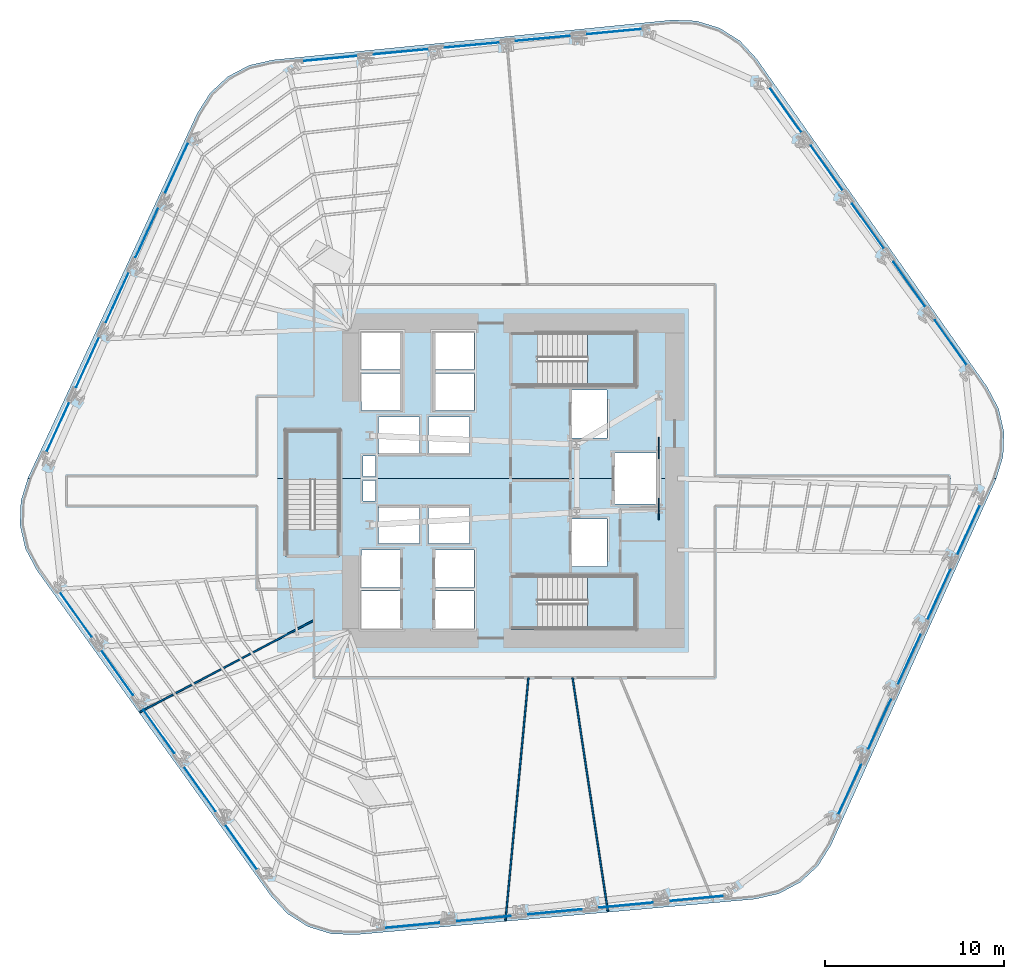
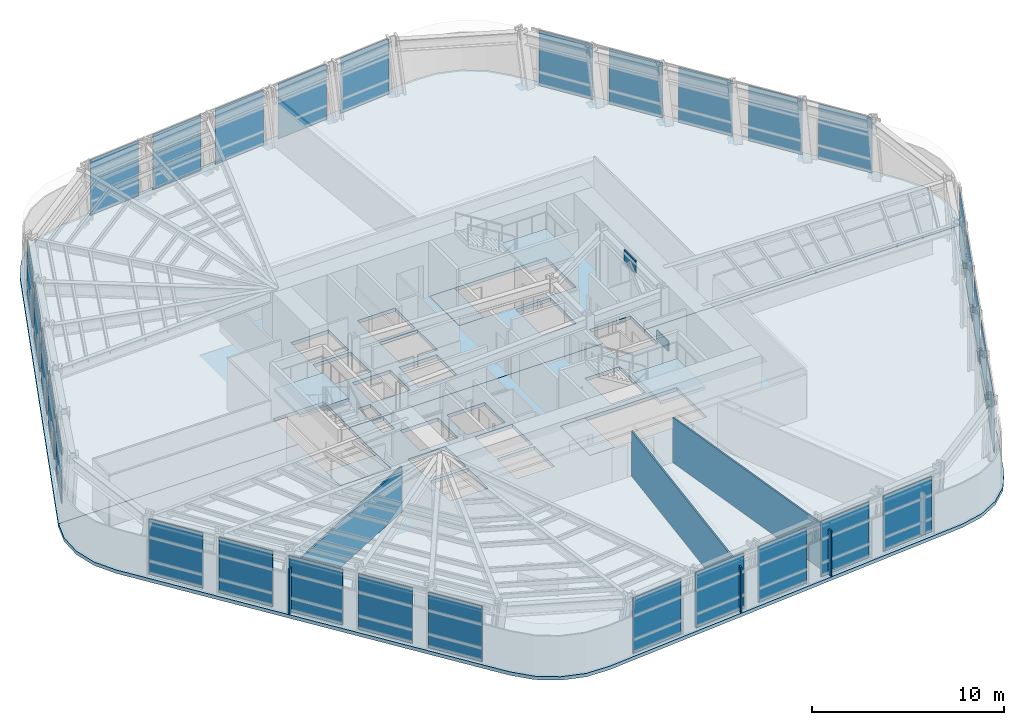
# One storey, part 7 of 16: 32 plates, 8 slabs, 3 walls, 9 elements without a shape of their own.
"""IFC4 building model written with IfcOpenShell, lengths in metres."""

from ifc_helpers import new_model, si_unit, direction, frame, frame_2d, origin, origin_2d, place, context, subcontext, project, spatial, polyline, rectangle, outline, extrude, material, layer, layer_set, type_object, element, aggregate, save


model = new_model("IFC4")

# Units and contexts
model_context = context("Model", 3, precision=1e-05, world=origin(), true_north=direction((0.0, 1.0)))
body_context = subcontext(model_context, "Body", "Model", "MODEL_VIEW")
ifc_project = project(units=[si_unit("LENGTHUNIT", "METRE"), si_unit("AREAUNIT", "SQUARE_METRE"), si_unit("VOLUMEUNIT", "CUBIC_METRE"), si_unit("PLANEANGLEUNIT", "RADIAN"), si_unit("MASSUNIT", "GRAM", prefix="KILO")], contexts=[model_context])

# Site, building, storey
site_placement = place(None, origin())
site = spatial("IfcSite", under=ifc_project, at=site_placement, CompositionType="ELEMENT")
building_placement = place(site_placement, origin())
building = spatial("IfcBuilding", under=site, at=building_placement, Name="Valkerne Bourse Tower", CompositionType="ELEMENT")
storey_placement = place(building_placement, frame((0.0, 0.0, 46.800048828125)))
storey = spatial("IfcBuildingStorey", under=building, at=storey_placement, Name="L11", CompositionType="ELEMENT", Elevation=46.800048828125)

# Curtain wall, plates
ifc_material_1 = material(Name="Aluminium AA 6063-T6", Category="aluminium")
ifc_layer_1 = layer(ifc_material_1, 0.22509765625)
ifc_layer_set_1 = layer_set([ifc_layer_1], Name="Aluminium AA 6063-T6")
curtain_wall_type = type_object("IfcCurtainWallType", Name="CW-01", PredefinedType="NOTDEFINED", material=ifc_layer_set_1)
curtain_wall_1_placement = place(storey_placement, origin())
curtain_wall_1 = element("IfcCurtainWall", 1, at=curtain_wall_1_placement, inside=storey, type_object=curtain_wall_type, Name="L11 Hexagonal Stick Curtain Wall Face 1", PredefinedType="NOTDEFINED")
ifc_material_2 = material(Name="Glass IGU Low-E Double Glazed", Category="glass")
ifc_layer_2 = layer(ifc_material_2, 0.031982421875)
ifc_layer_set_2 = layer_set([ifc_layer_2], Name="Glass IGU Low-E Double Glazed")
plate_type_1 = type_object("IfcPlateType", Name="CW-PNL-IGU-32", PredefinedType="CURTAIN_PANEL", material=ifc_layer_set_2)
plate_1_placement = place(storey_placement, frame((71.2958984375, 34.603759765625, 0.030029296875), z_axis=(0.0, 0.0, 1.0), x_axis=(-0.579285902215, 0.815124434363, 0.0)))
plate_1 = element("IfcPlate", 2, at=plate_1_placement, type_object=plate_type_1, Name="CW-L11-F1 Curtain Panel 00", PredefinedType="CURTAIN_PANEL", context=body_context, shape_type="SweptSolid", body=[
    extrude(rectangle(XDim=3.075927734375, YDim=0.031982421875, at=origin_2d()), origin(), (0.0, 0.0, 1.0), 3.52001953125),
])
plate_2_placement = place(storey_placement, frame((68.981201171875, 37.861083984375, 0.030029296875), z_axis=(0.0, 0.0, 1.0), x_axis=(-0.579274085678, 0.815132831913, 0.0)))
plate_2 = element("IfcPlate", 3, at=plate_2_placement, type_object=plate_type_1, Name="CW-L11-F1 Curtain Panel 01", PredefinedType="CURTAIN_PANEL", context=body_context, shape_type="SweptSolid", body=[
    extrude(rectangle(XDim=3.076171875, YDim=0.031982421875, at=origin_2d()), origin(), (0.0, 0.0, 1.0), 3.52001953125),
])
plate_3_placement = place(storey_placement, frame((66.66650390625, 41.118408203125, 0.030029296875), z_axis=(0.0, 0.0, 1.0), x_axis=(-0.579285902215, 0.815124434363, 0.0)))
plate_3 = element("IfcPlate", 4, at=plate_3_placement, type_object=plate_type_1, Name="CW-L11-F1 Curtain Panel 02", PredefinedType="CURTAIN_PANEL", context=body_context, shape_type="SweptSolid", body=[
    extrude(rectangle(XDim=3.075927734375, YDim=0.031982421875, at=origin_2d()), origin(), (0.0, 0.0, 1.0), 3.52001953125),
])
plate_4_placement = place(storey_placement, frame((64.351806640625, 44.37548828125, 0.030029296875), z_axis=(0.0, 0.0, 1.0), x_axis=(-0.579274085678, 0.815132831913, 0.0)))
plate_4 = element("IfcPlate", 5, at=plate_4_placement, type_object=plate_type_1, Name="CW-L11-F1 Curtain Panel 03", PredefinedType="CURTAIN_PANEL", context=body_context, shape_type="SweptSolid", body=[
    extrude(rectangle(XDim=3.076171875, YDim=0.031982421875, at=origin_2d()), origin(), (0.0, 0.0, 1.0), 3.52001953125),
])
plate_5_placement = place(storey_placement, frame((62.036865234375, 47.6328125, 0.030029296875), z_axis=(0.0, 0.0, 1.0), x_axis=(-0.579285902215, 0.815124434363, 0.0)))
plate_5 = element("IfcPlate", 6, at=plate_5_placement, type_object=plate_type_1, Name="CW-L11-F1 Curtain Panel 04", PredefinedType="CURTAIN_PANEL", context=body_context, shape_type="SweptSolid", body=[
    extrude(rectangle(XDim=3.075927734375, YDim=0.031982421875, at=origin_2d()), origin(), (0.0, 0.0, 1.0), 3.52001953125),
])
aggregate(curtain_wall_1, [plate_1, plate_2, plate_3, plate_4, plate_5])

curtain_wall_2_placement = place(storey_placement, origin())
curtain_wall_2 = element("IfcCurtainWall", 7, at=curtain_wall_2_placement, inside=storey, type_object=curtain_wall_type, Name="L11 Hexagonal Stick Curtain Wall Face 2", PredefinedType="NOTDEFINED")
plate_6_placement = place(storey_placement, frame((52.462890625, 52.01611328125, 0.030029296875), z_axis=(0.0, 0.0, 1.0), x_axis=(-0.995560806693, -0.094120561919, 0.0)))
plate_6 = element("IfcPlate", 8, at=plate_6_placement, type_object=plate_type_1, Name="CW-L11-F2 Curtain Panel 00", PredefinedType="CURTAIN_PANEL", context=body_context, shape_type="SweptSolid", body=[
    extrude(rectangle(XDim=3.075927734375, YDim=0.031982421875, at=origin_2d()), origin(), (0.0, 0.0, 1.0), 3.52001953125),
])
plate_7_placement = place(storey_placement, frame((48.484619140625, 51.64013671875, 0.030029296875), z_axis=(0.0, 0.0, 1.0), x_axis=(-0.995563372907, -0.094093413826, 0.0)))
plate_7 = element("IfcPlate", 9, at=plate_7_placement, type_object=plate_type_1, Name="CW-L11-F2 Curtain Panel 01", PredefinedType="CURTAIN_PANEL", context=body_context, shape_type="SweptSolid", body=[
    extrude(rectangle(XDim=3.076171875, YDim=0.031982421875, at=origin_2d()), origin(), (0.0, 0.0, 1.0), 3.52001953125),
])
plate_8_placement = place(storey_placement, frame((44.50634765625, 51.263916015625, 0.030029296875), z_axis=(0.0, 0.0, 1.0), x_axis=(-0.995561028378, -0.094118217018, 0.0)))
plate_8 = element("IfcPlate", 10, at=plate_8_placement, type_object=plate_type_1, Name="CW-L11-F2 Curtain Panel 02", PredefinedType="CURTAIN_PANEL", context=body_context, shape_type="SweptSolid", body=[
    extrude(rectangle(XDim=3.076171875, YDim=0.031982421875, at=origin_2d()), origin(), (0.0, 0.0, 1.0), 3.52001953125),
])
plate_9_placement = place(storey_placement, frame((40.528076171875, 50.887939453125, 0.030029296875), z_axis=(0.0, 0.0, 1.0), x_axis=(-0.99556315134, -0.094095758107, 0.0)))
plate_9 = element("IfcPlate", 11, at=plate_9_placement, type_object=plate_type_1, Name="CW-L11-F2 Curtain Panel 03", PredefinedType="CURTAIN_PANEL", context=body_context, shape_type="SweptSolid", body=[
    extrude(rectangle(XDim=3.075927734375, YDim=0.031982421875, at=origin_2d()), origin(), (0.0, 0.0, 1.0), 3.52001953125),
])
plate_10_placement = place(storey_placement, frame((36.5498046875, 50.511962890625, 0.030029296875), z_axis=(0.0, 0.0, 1.0), x_axis=(-0.995561028378, -0.094118217018, 0.0)))
plate_10 = element("IfcPlate", 12, at=plate_10_placement, type_object=plate_type_1, Name="CW-L11-F2 Curtain Panel 04", PredefinedType="CURTAIN_PANEL", context=body_context, shape_type="SweptSolid", body=[
    extrude(rectangle(XDim=3.076171875, YDim=0.031982421875, at=origin_2d()), origin(), (0.0, 0.0, 1.0), 3.52001953125),
])
aggregate(curtain_wall_2, [plate_6, plate_7, plate_8, plate_9, plate_10])

curtain_wall_3_placement = place(storey_placement, origin())
curtain_wall_3 = element("IfcCurtainWall", 13, at=curtain_wall_3_placement, inside=storey, type_object=curtain_wall_type, Name="L11 Hexagonal Stick Curtain Wall Face 3", PredefinedType="NOTDEFINED")
plate_11_placement = place(storey_placement, frame((27.966796875, 44.412353515625, 0.030029296875), z_axis=(0.0, 0.0, 1.0), x_axis=(-0.416290181483, -0.909231810267, 0.0)))
plate_11 = element("IfcPlate", 14, at=plate_11_placement, type_object=plate_type_1, Name="CW-L11-F3 Curtain Panel 00", PredefinedType="CURTAIN_PANEL", context=body_context, shape_type="SweptSolid", body=[
    extrude(rectangle(XDim=3.076171875, YDim=0.031982421875, at=origin_2d()), origin(), (0.0, 0.0, 1.0), 3.52001953125),
])
plate_12_placement = place(storey_placement, frame((26.303466796875, 40.779052734375, 0.030029296875), z_axis=(0.0, 0.0, 1.0), x_axis=(-0.416269492971, -0.909241282181, 0.0)))
plate_12 = element("IfcPlate", 15, at=plate_12_placement, type_object=plate_type_1, Name="CW-L11-F3 Curtain Panel 01", PredefinedType="CURTAIN_PANEL", context=body_context, shape_type="SweptSolid", body=[
    extrude(rectangle(XDim=3.075927734375, YDim=0.031982421875, at=origin_2d()), origin(), (0.0, 0.0, 1.0), 3.52001953125),
])
plate_13_placement = place(storey_placement, frame((24.639892578125, 37.145751953125, 0.030029296875), z_axis=(0.0, 0.0, 1.0), x_axis=(-0.416290181483, -0.909231810267, 0.0)))
plate_13 = element("IfcPlate", 16, at=plate_13_placement, type_object=plate_type_1, Name="CW-L11-F3 Curtain Panel 02", PredefinedType="CURTAIN_PANEL", context=body_context, shape_type="SweptSolid", body=[
    extrude(rectangle(XDim=3.076171875, YDim=0.031982421875, at=origin_2d()), origin(), (0.0, 0.0, 1.0), 3.52001953125),
])
plate_14_placement = place(storey_placement, frame((22.976318359375, 33.512451171875, 0.030029296875), z_axis=(0.0, 0.0, 1.0), x_axis=(-0.416269492971, -0.909241282181, 0.0)))
plate_14 = element("IfcPlate", 17, at=plate_14_placement, type_object=plate_type_1, Name="CW-L11-F3 Curtain Panel 03", PredefinedType="CURTAIN_PANEL", context=body_context, shape_type="SweptSolid", body=[
    extrude(rectangle(XDim=3.075927734375, YDim=0.031982421875, at=origin_2d()), origin(), (0.0, 0.0, 1.0), 3.52001953125),
])
plate_15_placement = place(storey_placement, frame((21.31298828125, 29.879150390625, 0.030029296875), z_axis=(0.0, 0.0, 1.0), x_axis=(-0.416290181483, -0.909231810267, 0.0)))
plate_15 = element("IfcPlate", 18, at=plate_15_placement, type_object=plate_type_1, Name="CW-L11-F3 Curtain Panel 04", PredefinedType="CURTAIN_PANEL", context=body_context, shape_type="SweptSolid", body=[
    extrude(rectangle(XDim=3.076171875, YDim=0.031982421875, at=origin_2d()), origin(), (0.0, 0.0, 1.0), 3.52001953125),
])
aggregate(curtain_wall_3, [plate_11, plate_12, plate_13, plate_14, plate_15])

curtain_wall_4_placement = place(storey_placement, origin())
curtain_wall_4 = element("IfcCurtainWall", 19, at=curtain_wall_4_placement, inside=storey, type_object=curtain_wall_type, Name="L11 Hexagonal Stick Curtain Wall Face 4", PredefinedType="NOTDEFINED")
plate_16_placement = place(storey_placement, frame((22.303955078125, 19.39599609375, 0.030029296875), z_axis=(0.0, 0.0, 1.0), x_axis=(0.579285902215, -0.815124434363, 0.0)))
plate_16 = element("IfcPlate", 20, at=plate_16_placement, type_object=plate_type_1, Name="CW-L11-F4 Curtain Panel 00", PredefinedType="CURTAIN_PANEL", context=body_context, shape_type="SweptSolid", body=[
    extrude(rectangle(XDim=3.075927734375, YDim=0.031982421875, at=origin_2d()), origin(), (0.0, 0.0, 1.0), 3.52001953125),
])
plate_17_placement = place(storey_placement, frame((24.61865234375, 16.138916015625, 0.030029296875), z_axis=(0.0, 0.0, 1.0), x_axis=(0.579274085678, -0.815132831913, 0.0)))
plate_17 = element("IfcPlate", 21, at=plate_17_placement, type_object=plate_type_1, Name="CW-L11-F4 Curtain Panel 01", PredefinedType="CURTAIN_PANEL", context=body_context, shape_type="SweptSolid", body=[
    extrude(rectangle(XDim=3.076171875, YDim=0.031982421875, at=origin_2d()), origin(), (0.0, 0.0, 1.0), 3.52001953125),
])
plate_18_placement = place(storey_placement, frame((26.93359375, 12.881591796875, 0.030029296875), z_axis=(0.0, 0.0, 1.0), x_axis=(0.579285902215, -0.815124434363, 0.0)))
plate_18 = element("IfcPlate", 22, at=plate_18_placement, type_object=plate_type_1, Name="CW-L11-F4 Curtain Panel 02", PredefinedType="CURTAIN_PANEL", context=body_context, shape_type="SweptSolid", body=[
    extrude(rectangle(XDim=3.075927734375, YDim=0.031982421875, at=origin_2d()), origin(), (0.0, 0.0, 1.0), 3.52001953125),
])
plate_19_placement = place(storey_placement, frame((29.248291015625, 9.62451171875, 0.030029296875), z_axis=(0.0, 0.0, 1.0), x_axis=(0.579274085678, -0.815132831913, 0.0)))
plate_19 = element("IfcPlate", 23, at=plate_19_placement, type_object=plate_type_1, Name="CW-L11-F4 Curtain Panel 03", PredefinedType="CURTAIN_PANEL", context=body_context, shape_type="SweptSolid", body=[
    extrude(rectangle(XDim=3.076171875, YDim=0.031982421875, at=origin_2d()), origin(), (0.0, 0.0, 1.0), 3.52001953125),
])
plate_20_placement = place(storey_placement, frame((31.563232421875, 6.3671875, 0.030029296875), z_axis=(0.0, 0.0, 1.0), x_axis=(0.579285902215, -0.815124434363, 0.0)))
plate_20 = element("IfcPlate", 24, at=plate_20_placement, type_object=plate_type_1, Name="CW-L11-F4 Curtain Panel 04", PredefinedType="CURTAIN_PANEL", context=body_context, shape_type="SweptSolid", body=[
    extrude(rectangle(XDim=3.075927734375, YDim=0.031982421875, at=origin_2d()), origin(), (0.0, 0.0, 1.0), 3.52001953125),
])
aggregate(curtain_wall_4, [plate_16, plate_17, plate_18, plate_19, plate_20])

curtain_wall_5_placement = place(storey_placement, origin())
curtain_wall_5 = element("IfcCurtainWall", 25, at=curtain_wall_5_placement, inside=storey, type_object=curtain_wall_type, Name="L11 Hexagonal Stick Curtain Wall Face 5", PredefinedType="NOTDEFINED")
plate_21_placement = place(storey_placement, frame((41.13720703125, 1.98388671875, 0.030029296875), z_axis=(0.0, 0.0, 1.0), x_axis=(0.995560806693, 0.094120561919, 0.0)))
plate_21 = element("IfcPlate", 26, at=plate_21_placement, type_object=plate_type_1, Name="CW-L11-F5 Curtain Panel 00", PredefinedType="CURTAIN_PANEL", context=body_context, shape_type="SweptSolid", body=[
    extrude(rectangle(XDim=3.075927734375, YDim=0.031982421875, at=origin_2d()), origin(), (0.0, 0.0, 1.0), 3.52001953125),
])
plate_22_placement = place(storey_placement, frame((45.115234375, 2.35986328125, 0.030029296875), z_axis=(0.0, 0.0, 1.0), x_axis=(0.995563372907, 0.094093413826, 0.0)))
plate_22 = element("IfcPlate", 27, at=plate_22_placement, type_object=plate_type_1, Name="CW-L11-F5 Curtain Panel 01", PredefinedType="CURTAIN_PANEL", context=body_context, shape_type="SweptSolid", body=[
    extrude(rectangle(XDim=3.076171875, YDim=0.031982421875, at=origin_2d()), origin(), (0.0, 0.0, 1.0), 3.52001953125),
])
plate_23_placement = place(storey_placement, frame((49.093505859375, 2.73583984375, 0.030029296875), z_axis=(0.0, 0.0, 1.0), x_axis=(0.995561028378, 0.094118217018, 0.0)))
plate_23 = element("IfcPlate", 28, at=plate_23_placement, type_object=plate_type_1, Name="CW-L11-F5 Curtain Panel 02", PredefinedType="CURTAIN_PANEL", context=body_context, shape_type="SweptSolid", body=[
    extrude(rectangle(XDim=3.076171875, YDim=0.031982421875, at=origin_2d()), origin(), (0.0, 0.0, 1.0), 3.52001953125),
])
plate_24_placement = place(storey_placement, frame((53.072021484375, 3.112060546875, 0.030029296875), z_axis=(0.0, 0.0, 1.0), x_axis=(0.99556315134, 0.094095758107, 0.0)))
plate_24 = element("IfcPlate", 29, at=plate_24_placement, type_object=plate_type_1, Name="CW-L11-F5 Curtain Panel 03", PredefinedType="CURTAIN_PANEL", context=body_context, shape_type="SweptSolid", body=[
    extrude(rectangle(XDim=3.075927734375, YDim=0.031982421875, at=origin_2d()), origin(), (0.0, 0.0, 1.0), 3.52001953125),
])
plate_25_placement = place(storey_placement, frame((57.05029296875, 3.488037109375, 0.030029296875), z_axis=(0.0, 0.0, 1.0), x_axis=(0.995561028378, 0.094118217018, 0.0)))
plate_25 = element("IfcPlate", 30, at=plate_25_placement, type_object=plate_type_1, Name="CW-L11-F5 Curtain Panel 04", PredefinedType="CURTAIN_PANEL", context=body_context, shape_type="SweptSolid", body=[
    extrude(rectangle(XDim=3.076171875, YDim=0.031982421875, at=origin_2d()), origin(), (0.0, 0.0, 1.0), 3.52001953125),
])
aggregate(curtain_wall_5, [plate_21, plate_22, plate_23, plate_24, plate_25])

curtain_wall_6_placement = place(storey_placement, origin())
curtain_wall_6 = element("IfcCurtainWall", 31, at=curtain_wall_6_placement, inside=storey, type_object=curtain_wall_type, Name="L11 Hexagonal Stick Curtain Wall Face 6", PredefinedType="NOTDEFINED")
plate_26_placement = place(storey_placement, frame((65.63330078125, 9.587646484375, 0.030029296875), z_axis=(0.0, 0.0, 1.0), x_axis=(0.416290181483, 0.909231810267, 0.0)))
plate_26 = element("IfcPlate", 32, at=plate_26_placement, type_object=plate_type_1, Name="CW-L11-F6 Curtain Panel 00", PredefinedType="CURTAIN_PANEL", context=body_context, shape_type="SweptSolid", body=[
    extrude(rectangle(XDim=3.076171875, YDim=0.031982421875, at=origin_2d()), origin(), (0.0, 0.0, 1.0), 3.52001953125),
])
plate_27_placement = place(storey_placement, frame((67.296630859375, 13.220947265625, 0.030029296875), z_axis=(0.0, 0.0, 1.0), x_axis=(0.416269492971, 0.909241282181, 0.0)))
plate_27 = element("IfcPlate", 33, at=plate_27_placement, type_object=plate_type_1, Name="CW-L11-F6 Curtain Panel 01", PredefinedType="CURTAIN_PANEL", context=body_context, shape_type="SweptSolid", body=[
    extrude(rectangle(XDim=3.075927734375, YDim=0.031982421875, at=origin_2d()), origin(), (0.0, 0.0, 1.0), 3.52001953125),
])
plate_28_placement = place(storey_placement, frame((68.960205078125, 16.854248046875, 0.030029296875), z_axis=(0.0, 0.0, 1.0), x_axis=(0.416290181483, 0.909231810267, 0.0)))
plate_28 = element("IfcPlate", 34, at=plate_28_placement, type_object=plate_type_1, Name="CW-L11-F6 Curtain Panel 02", PredefinedType="CURTAIN_PANEL", context=body_context, shape_type="SweptSolid", body=[
    extrude(rectangle(XDim=3.076171875, YDim=0.031982421875, at=origin_2d()), origin(), (0.0, 0.0, 1.0), 3.52001953125),
])
plate_29_placement = place(storey_placement, frame((70.62353515625, 20.487548828125, 0.030029296875), z_axis=(0.0, 0.0, 1.0), x_axis=(0.416269492971, 0.909241282181, 0.0)))
plate_29 = element("IfcPlate", 35, at=plate_29_placement, type_object=plate_type_1, Name="CW-L11-F6 Curtain Panel 03", PredefinedType="CURTAIN_PANEL", context=body_context, shape_type="SweptSolid", body=[
    extrude(rectangle(XDim=3.075927734375, YDim=0.031982421875, at=origin_2d()), origin(), (0.0, 0.0, 1.0), 3.52001953125),
])
plate_30_placement = place(storey_placement, frame((72.287109375, 24.120849609375, 0.030029296875), z_axis=(0.0, 0.0, 1.0), x_axis=(0.416290181483, 0.909231810267, 0.0)))
plate_30 = element("IfcPlate", 36, at=plate_30_placement, type_object=plate_type_1, Name="CW-L11-F6 Curtain Panel 04", PredefinedType="CURTAIN_PANEL", context=body_context, shape_type="SweptSolid", body=[
    extrude(rectangle(XDim=3.076171875, YDim=0.031982421875, at=origin_2d()), origin(), (0.0, 0.0, 1.0), 3.52001953125),
])
aggregate(curtain_wall_6, [plate_26, plate_27, plate_28, plate_29, plate_30])

# Plates
ifc_material_3 = material(Name="Steel ASTM A572 Grade 50", Category="steel")
ifc_layer_3 = layer(ifc_material_3, 0.06005859375)
ifc_layer_set_3 = layer_set([ifc_layer_3], Name="Steel ASTM A572 Grade 50")
plate_type_2 = type_object("IfcPlateType", Name="PLT-GUS-60", PredefinedType="SHEET", material=ifc_layer_set_3)
for number, where, z_axis, x_axis, name in (
    (37, (54.949951171875, 25.300048828125, -0.18017578125), (0.0, 0.0, 1.0), (0.0, 1.0, 0.0), "L11 Brace Node Gusset Plate PLT-GUS-END-L11-338"),
    (38, (54.949951171875, 28.699951171875, 2.8740234375), (0.0, 0.0, 1.0), (0.0, 1.0, 0.0), "L11 Brace Node Gusset Plate PLT-GUS-END-L11-339"),
):
    element("IfcPlate", number, at=place(storey_placement, frame(where, z_axis=z_axis, x_axis=x_axis)), inside=storey, type_object=plate_type_2, Name=name, PredefinedType="SHEET", context=body_context, shape_type="SweptSolid", body=[
        extrude(rectangle(XDim=1.199951171875, YDim=0.06005859375, at=origin_2d()), origin(), (0.0, 0.0, 1.0), 0.800048828125),
    ])

# Slabs
ifc_material_4 = material(Name="Concrete C40/50", Category="concrete")
ifc_layer_4 = layer(ifc_material_4, 0.25)
ifc_layer_set_4 = layer_set([ifc_layer_4], Name="Concrete C40/50")
slab_type_1 = type_object("IfcSlabType", Name="SLB-RMP-LND-250", PredefinedType="LANDING", material=ifc_layer_set_4)
slab_1_placement = place(storey_placement, frame((0.0, 0.0, -0.219970703125)))
element("IfcSlab", 39, at=slab_1_placement, inside=storey, type_object=slab_type_1, Name="L11 ST-1 Floor Landing Slab", PredefinedType="LANDING", context=body_context, shape_type="SweptSolid", body=[
    extrude(outline(polyline([(46.669921875, 18.5400390625), (48.14990234375, 18.5400390625), (48.14990234375, 21.610107421875), (46.669921875, 21.610107421875), (46.669921875, 18.5400390625)])), origin(), (0.0, 0.0, 1.0), 0.219970703125),
])
slab_2_placement = place(storey_placement, frame((0.0, 0.0, -0.219970703125)))
element("IfcSlab", 40, at=slab_2_placement, inside=storey, type_object=slab_type_1, Name="L11 ST-2 Floor Landing Slab", PredefinedType="LANDING", context=body_context, shape_type="SweptSolid", body=[
    extrude(outline(polyline([(46.669921875, 32.139892578125), (48.14990234375, 32.139892578125), (48.14990234375, 35.2099609375), (46.669921875, 35.2099609375), (46.669921875, 32.139892578125)])), origin(), (0.0, 0.0, 1.0), 0.219970703125),
])
slab_3_placement = place(storey_placement, frame((0.0, 0.0, -0.219970703125)))
element("IfcSlab", 41, at=slab_3_placement, inside=storey, type_object=slab_type_1, Name="L11 ST-3 Floor Landing Slab", PredefinedType="LANDING", context=body_context, shape_type="SweptSolid", body=[
    extrude(outline(polyline([(37.110107421875, 22.669921875), (37.110107421875, 24.14990234375), (34.0400390625, 24.14990234375), (34.0400390625, 22.669921875), (37.110107421875, 22.669921875)])), origin(), (0.0, 0.0, 1.0), 0.219970703125),
])

# Stair, slab
stair_type = type_object("IfcStairType", Name="ST-CORE-1400", PredefinedType="HALF_TURN_STAIR", material=ifc_material_4)
stair_1_placement = place(storey_placement, origin())
stair_1 = element("IfcStair", 42, at=stair_1_placement, inside=storey, type_object=stair_type, Name="L11 ST-1", PredefinedType="HALF_TURN_STAIR")
ifc_layer_5 = layer(ifc_material_4, 0.179931640625)
ifc_layer_set_5 = layer_set([ifc_layer_5], Name="Concrete C40/50")
slab_type_2 = type_object("IfcSlabType", Name="SLB-ST-LND-180", PredefinedType="LANDING", material=ifc_layer_set_5)
slab_4_placement = place(storey_placement, frame((0.0, 0.0, 1.699951171875)))
slab_4 = element("IfcSlab", 43, at=slab_4_placement, type_object=slab_type_2, Name="ST-1 landing 1", PredefinedType="LANDING", context=body_context, shape_type="SweptSolid", body=[
    extrude(outline(polyline([(50.949951171875, 18.60009765625), (53.64990234375, 18.60009765625), (53.64990234375, 21.550048828125), (50.949951171875, 21.550048828125), (50.949951171875, 18.60009765625)])), origin(), (0.0, 0.0, 1.0), 0.199951171875),
])
aggregate(stair_1, [slab_4])

stair_2_placement = place(storey_placement, origin())
stair_2 = element("IfcStair", 44, at=stair_2_placement, inside=storey, type_object=stair_type, Name="L11 ST-2", PredefinedType="HALF_TURN_STAIR")
slab_5_placement = place(storey_placement, frame((0.0, 0.0, 1.699951171875)))
slab_5 = element("IfcSlab", 45, at=slab_5_placement, type_object=slab_type_2, Name="ST-2 landing 1", PredefinedType="LANDING", context=body_context, shape_type="SweptSolid", body=[
    extrude(outline(polyline([(50.949951171875, 32.199951171875), (53.64990234375, 32.199951171875), (53.64990234375, 35.14990234375), (50.949951171875, 35.14990234375), (50.949951171875, 32.199951171875)])), origin(), (0.0, 0.0, 1.0), 0.199951171875),
])
aggregate(stair_2, [slab_5])

stair_3_placement = place(storey_placement, origin())
stair_3 = element("IfcStair", 46, at=stair_3_placement, inside=storey, type_object=stair_type, Name="L11 ST-3", PredefinedType="HALF_TURN_STAIR")
slab_6_placement = place(storey_placement, frame((0.0, 0.0, 1.699951171875)))
slab_6 = element("IfcSlab", 47, at=slab_6_placement, type_object=slab_type_2, Name="ST-3 landing 1", PredefinedType="LANDING", context=body_context, shape_type="SweptSolid", body=[
    extrude(outline(polyline([(37.050048828125, 26.949951171875), (37.050048828125, 29.64990234375), (34.10009765625, 29.64990234375), (34.10009765625, 26.949951171875), (37.050048828125, 26.949951171875)])), origin(), (0.0, 0.0, 1.0), 0.199951171875),
])
aggregate(stair_3, [slab_6])

# Slabs
ifc_layer_6 = layer(ifc_material_4, 0.219970703125)
ifc_layer_set_6 = layer_set([ifc_layer_6], Name="Concrete C40/50")
slab_type_3 = type_object("IfcSlabType", Name="SLB-TOW-220", PredefinedType="FLOOR", material=ifc_layer_set_6)
slab_7_placement = place(storey_placement, frame((0.0, 0.0, -0.219970703125)))
element("IfcSlab", 48, at=slab_7_placement, inside=storey, type_object=slab_type_3, Name="L11 Hexagonal Composite Floor Slab S", PredefinedType="FLOOR", context=body_context, shape_type="SweptSolid", body=[
    extrude(outline(polyline([(63.861083984375, 5.31591796875), (62.86669921875, 4.39208984375), (61.6669921875, 3.7568359375), (60.34375, 3.45361328125), (37.966552734375, 1.460205078125), (36.610107421875, 1.510009765625), (35.3125, 1.9091796875), (34.16259765625, 2.630615234375), (33.238525390625, 3.625), (20.125732421875, 21.866943359375), (19.490478515625, 23.066650390625), (19.1875, 24.389892578125), (19.2373046875, 25.746337890625), (19.622802734375, 27.0), (34.034912109375, 27.0), (34.034912109375, 22.6650390625), (37.114990234375, 22.6650390625), (37.114990234375, 27.0), (52.360107421875, 27.0), (52.360107421875, 25.56005859375), (54.840087890625, 25.56005859375), (54.840087890625, 27.0), (73.841796875, 27.0), (73.82421875, 26.94287109375), (64.58251953125, 6.466064453125), (63.861083984375, 5.31591796875)]), holes=[polyline([(40.590087890625, 20.68994140625), (38.31005859375, 20.68994140625), (38.31005859375, 18.610107421875), (40.590087890625, 18.610107421875), (40.590087890625, 20.68994140625)]), polyline([(40.590087890625, 22.989990234375), (38.31005859375, 22.989990234375), (38.31005859375, 20.909912109375), (40.590087890625, 20.909912109375), (40.590087890625, 22.989990234375)]), polyline([(41.5400390625, 25.43994140625), (39.260009765625, 25.43994140625), (39.260009765625, 23.360107421875), (41.5400390625, 23.360107421875), (41.5400390625, 25.43994140625)]), polyline([(39.10009765625, 25.72998046875), (39.10009765625, 26.89990234375), (38.3798828125, 26.89990234375), (38.3798828125, 25.72998046875), (39.10009765625, 25.72998046875)]), polyline([(44.590087890625, 20.68994140625), (42.31005859375, 20.68994140625), (42.31005859375, 18.610107421875), (44.590087890625, 18.610107421875), (44.590087890625, 20.68994140625)]), polyline([(53.675048828125, 21.614990234375), (46.6650390625, 21.614990234375), (46.6650390625, 18.534912109375), (53.675048828125, 18.534912109375), (53.675048828125, 21.614990234375)]), polyline([(44.590087890625, 22.989990234375), (42.31005859375, 22.989990234375), (42.31005859375, 20.909912109375), (44.590087890625, 20.909912109375), (44.590087890625, 22.989990234375)]), polyline([(52.0400390625, 22.06005859375), (52.0400390625, 24.739990234375), (49.9599609375, 24.739990234375), (49.9599609375, 22.06005859375), (52.0400390625, 22.06005859375)]), polyline([(44.340087890625, 23.360107421875), (44.340087890625, 25.43994140625), (42.06005859375, 25.43994140625), (42.06005859375, 23.360107421875), (44.340087890625, 23.360107421875)])]), origin(), (0.0, 0.0, 1.0), 0.219970703125),
])
slab_8_placement = place(storey_placement, frame((0.0, 0.0, -0.219970703125)))
element("IfcSlab", 49, at=slab_8_placement, inside=storey, type_object=slab_type_3, Name="L11 Hexagonal Composite Floor Slab N", PredefinedType="FLOOR", context=body_context, shape_type="SweptSolid", body=[
    extrude(outline(polyline([(19.636474609375, 27.0439453125), (29.0986328125, 47.419921875), (29.820068359375, 48.56982421875), (30.814453125, 49.493896484375), (32.01416015625, 50.129150390625), (33.33740234375, 50.43212890625), (55.69189453125, 52.6669921875), (57.04833984375, 52.6171875), (58.345703125, 52.21826171875), (59.49560546875, 51.496826171875), (60.419921875, 50.50244140625), (73.334716796875, 32.119873046875), (73.969970703125, 30.920166015625), (74.273193359375, 29.596923828125), (74.223388671875, 28.240478515625), (73.841796875, 27.0), (54.840087890625, 27.0), (54.840087890625, 28.43994140625), (52.360107421875, 28.43994140625), (52.360107421875, 27.0), (37.114990234375, 27.0), (37.114990234375, 29.675048828125), (34.034912109375, 29.675048828125), (34.034912109375, 27.0), (19.622802734375, 27.0), (19.636474609375, 27.0439453125)]), holes=[polyline([(39.10009765625, 28.27001953125), (38.3798828125, 28.27001953125), (38.3798828125, 27.10009765625), (39.10009765625, 27.10009765625), (39.10009765625, 28.27001953125)]), polyline([(41.5400390625, 30.43994140625), (39.260009765625, 30.43994140625), (39.260009765625, 28.360107421875), (41.5400390625, 28.360107421875), (41.5400390625, 30.43994140625)]), polyline([(44.340087890625, 30.43994140625), (42.06005859375, 30.43994140625), (42.06005859375, 28.360107421875), (44.340087890625, 28.360107421875), (44.340087890625, 30.43994140625)]), polyline([(40.590087890625, 30.81005859375), (40.590087890625, 32.889892578125), (38.31005859375, 32.889892578125), (38.31005859375, 30.81005859375), (40.590087890625, 30.81005859375)]), polyline([(40.590087890625, 33.110107421875), (40.590087890625, 35.18994140625), (38.31005859375, 35.18994140625), (38.31005859375, 33.110107421875), (40.590087890625, 33.110107421875)]), polyline([(52.0400390625, 31.93994140625), (49.9599609375, 31.93994140625), (49.9599609375, 29.260009765625), (52.0400390625, 29.260009765625), (52.0400390625, 31.93994140625)]), polyline([(44.590087890625, 32.889892578125), (42.31005859375, 32.889892578125), (42.31005859375, 30.81005859375), (44.590087890625, 30.81005859375), (44.590087890625, 32.889892578125)]), polyline([(53.675048828125, 32.135009765625), (53.675048828125, 35.215087890625), (46.6650390625, 35.215087890625), (46.6650390625, 32.135009765625), (53.675048828125, 32.135009765625)]), polyline([(44.590087890625, 33.110107421875), (44.590087890625, 35.18994140625), (42.31005859375, 35.18994140625), (42.31005859375, 33.110107421875), (44.590087890625, 33.110107421875)])]), origin(), (0.0, 0.0, 1.0), 0.219970703125),
])

# Walls
ifc_material_5 = material(Name="Gypsum Board Steel-Stud Partition", Category="steel")
ifc_layer_7 = layer(ifc_material_5, 0.092041015625)
ifc_layer_set_7 = layer_set([ifc_layer_7], Name="Gypsum Board Steel-Stud Partition")
wall_type = type_object("IfcWallType", Name="W-PART-115", PredefinedType="PARTITIONING", material=ifc_layer_set_7)
wall_1_placement = place(storey_placement, frame((47.6494140625, 15.844970703125, 0.0), z_axis=(0.0, 0.0, 1.0), x_axis=(-0.09409716152, -0.995563018695, 0.0)))
element("IfcWall", 50, at=wall_1_placement, inside=storey, type_object=wall_type, Name="L11 Suite Partition P01", PredefinedType="PARTITIONING", context=body_context, shape_type="SweptSolid", body=[
    extrude(rectangle(XDim=13.626708984375, YDim=0.092041015625, at=frame_2d((6.8134765625, 0.0))), origin(), (0.0, 0.0, 1.0), 2.86376953125),
])
wall_2_placement = place(storey_placement, frame((50.12060546875, 15.844970703125, 0.0), z_axis=(0.0, 0.0, 1.0), x_axis=(0.149541925658, -0.988755385558, 0.0)))
element("IfcWall", 51, at=wall_2_placement, inside=storey, type_object=wall_type, Name="L11 Suite Partition P02", PredefinedType="PARTITIONING", context=body_context, shape_type="SweptSolid", body=[
    extrude(rectangle(XDim=13.204345703125, YDim=0.092041015625, at=frame_2d((6.60205078125, 0.0))), origin(), (0.0, 0.0, 1.0), 2.86376953125),
])
wall_3_placement = place(storey_placement, frame((35.64501953125, 19.064453125, 0.0), z_axis=(0.0, 0.0, 1.0), x_axis=(-0.884429540777, -0.466673748353, 0.0)))
element("IfcWall", 52, at=wall_3_placement, inside=storey, type_object=wall_type, Name="L11 Suite Partition P05", PredefinedType="PARTITIONING", context=body_context, shape_type="SweptSolid", body=[
    extrude(rectangle(XDim=10.999755859375, YDim=0.092041015625, at=frame_2d((5.5, 0.0))), origin(), (0.0, 0.0, 1.0), 2.86376953125),
])

save(model, "model.ifc")
